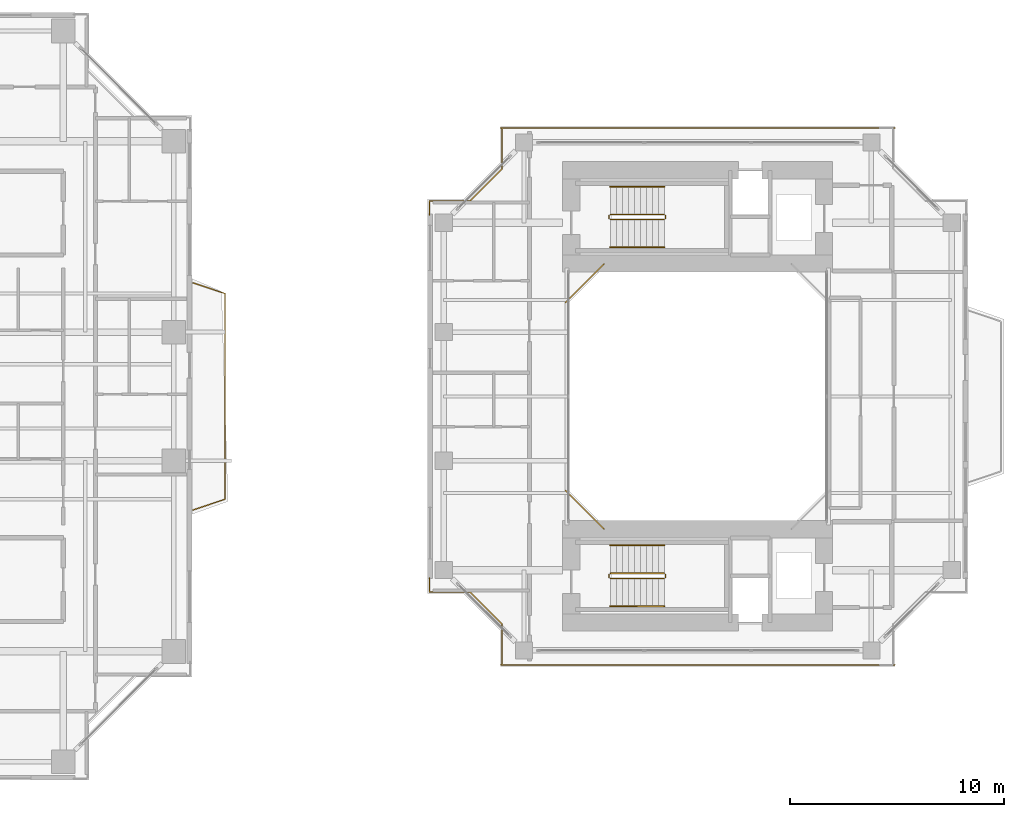
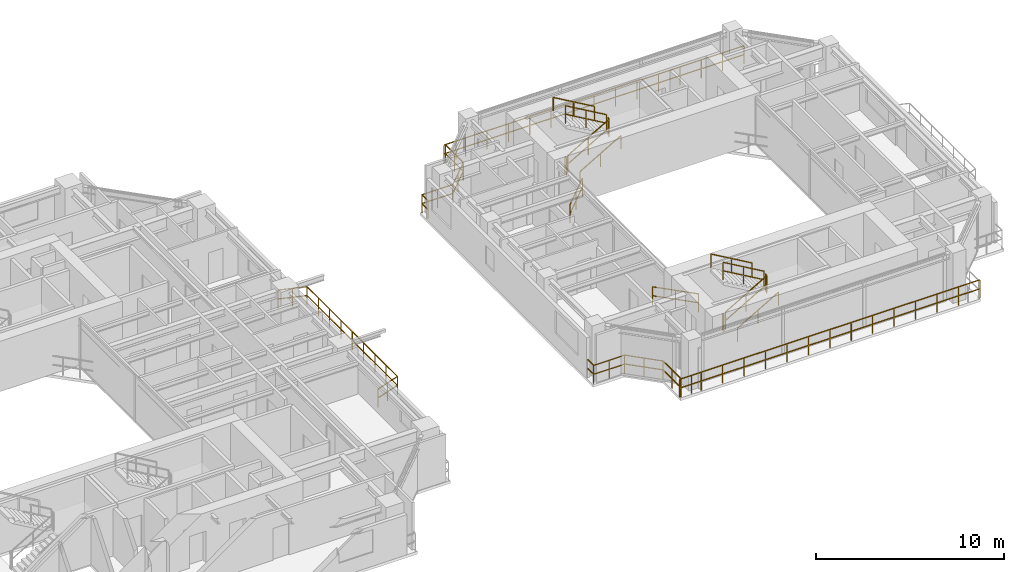
# One storey, part 22 of 23: 19 railings.
"""IFC4 building model written with IfcOpenShell, lengths in metres."""

from ifc_helpers import new_model, si_unit, direction, frame, origin, origin_2d, place, context, subcontext, project, spatial, rectangle, extrude, material, type_object, element, save


model = new_model("IFC4")

# Units and contexts
model_context = context("Model", 3, precision=1e-05, world=origin(), true_north=direction((0.0, 1.0)))
body_context = subcontext(model_context, "Body", "Model", "MODEL_VIEW")
ifc_project = project(units=[si_unit("LENGTHUNIT", "METRE"), si_unit("AREAUNIT", "SQUARE_METRE"), si_unit("VOLUMEUNIT", "CUBIC_METRE"), si_unit("PLANEANGLEUNIT", "RADIAN"), si_unit("MASSUNIT", "GRAM", prefix="KILO"), si_unit("THERMODYNAMICTEMPERATUREUNIT", "KELVIN"), si_unit("POWERUNIT", "WATT")], contexts=[model_context])

# Site, building, storey
site_placement = place(None, origin())
site = spatial("IfcSite", under=ifc_project, at=site_placement, CompositionType="ELEMENT")
building_placement = place(site_placement, origin())
building = spatial("IfcBuilding", under=site, at=building_placement, Name="Qiaomeng Ring Towers", CompositionType="ELEMENT")
storey_placement = place(building_placement, frame((0.0, 0.0, 100.25)))
storey = spatial("IfcBuildingStorey", under=building, at=storey_placement, Name="L28", CompositionType="ELEMENT", Elevation=100.25)

# Railings
ifc_material_1 = material(Name="Low-E pale-green laminated safety glass", Category="glass")
railing_type_1 = type_object("IfcRailingType", Name="ARC-RL-BAL1", PredefinedType="BALUSTRADE", material=ifc_material_1)
railing_1_placement = place(storey_placement, frame((36.949951171875, 17.699951171875, 0.0)))
element("IfcRailing", 1, at=railing_1_placement, inside=storey, type_object=railing_type_1, Name="L28 Balustrade ARC-BAL-L28-T1-E", PredefinedType="BALUSTRADE", context=body_context, shape_type="SweptSolid", body=[
    extrude(rectangle(XDim=0.048095703125, YDim=0.048095703125, at=origin_2d()), frame((0.0, 0.0, 1.17578125), z_axis=(0.948044476945, 0.318137815629, 0.0), x_axis=(-0.318137815629, 0.948044476945, 0.0)), (0.0, 0.0, 1.0), 1.571533203125),
    extrude(rectangle(XDim=0.048095703125, YDim=0.048095703125, at=origin_2d()), frame((0.0, 0.0, 0.60009765625), z_axis=(0.948044476945, 0.318137815629, 0.0), x_axis=(-0.318137815629, 0.948044476945, 0.0)), (0.0, 0.0, 1.0), 1.571533203125),
    extrude(rectangle(XDim=0.048095703125, YDim=0.048095703125, at=origin_2d()), frame((1.489990234375, 0.5, 1.17578125), z_axis=(0.0, 1.0, 0.0), x_axis=(-1.0, 0.0, 0.0)), (0.0, 0.0, 1.0), 9.60009765625),
    extrude(rectangle(XDim=0.048095703125, YDim=0.048095703125, at=origin_2d()), frame((1.489990234375, 0.5, 0.60009765625), z_axis=(0.0, 1.0, 0.0), x_axis=(-1.0, 0.0, 0.0)), (0.0, 0.0, 1.0), 9.60009765625),
    extrude(rectangle(XDim=0.048095703125, YDim=0.048095703125, at=origin_2d()), frame((1.489990234375, 10.10009765625, 1.17578125), z_axis=(-0.948044476945, 0.318137815629, 0.0), x_axis=(-0.318137815629, -0.948044476945, 0.0)), (0.0, 0.0, 1.0), 1.571533203125),
    extrude(rectangle(XDim=0.048095703125, YDim=0.048095703125, at=origin_2d()), frame((1.489990234375, 10.10009765625, 0.60009765625), z_axis=(-0.948044476945, 0.318137815629, 0.0), x_axis=(-0.318137815629, -0.948044476945, 0.0)), (0.0, 0.0, 1.0), 1.571533203125),
    extrude(rectangle(XDim=0.0419921875, YDim=0.0419921875, at=origin_2d()), origin(), (0.0, 0.0, 1.0), 1.15185546875),
    extrude(rectangle(XDim=0.0419921875, YDim=0.0419921875, at=origin_2d()), frame((0.7451171875, 0.25, 0.0)), (0.0, 0.0, 1.0), 1.15185546875),
    extrude(rectangle(XDim=0.0419921875, YDim=0.0419921875, at=origin_2d()), frame((1.489990234375, 0.5, 0.0)), (0.0, 0.0, 1.0), 1.15185546875),
    extrude(rectangle(XDim=0.0419921875, YDim=0.0419921875, at=origin_2d()), frame((1.489990234375, 1.699951171875, 0.0)), (0.0, 0.0, 1.0), 1.15185546875),
    extrude(rectangle(XDim=0.0419921875, YDim=0.0419921875, at=origin_2d()), frame((1.489990234375, 2.89990234375, 0.0)), (0.0, 0.0, 1.0), 1.15185546875),
    extrude(rectangle(XDim=0.0419921875, YDim=0.0419921875, at=origin_2d()), frame((1.489990234375, 4.10009765625, 0.0)), (0.0, 0.0, 1.0), 1.15185546875),
    extrude(rectangle(XDim=0.0419921875, YDim=0.0419921875, at=origin_2d()), frame((1.489990234375, 5.300048828125, 0.0)), (0.0, 0.0, 1.0), 1.15185546875),
    extrude(rectangle(XDim=0.0419921875, YDim=0.0419921875, at=origin_2d()), frame((1.489990234375, 6.5, 0.0)), (0.0, 0.0, 1.0), 1.15185546875),
    extrude(rectangle(XDim=0.0419921875, YDim=0.0419921875, at=origin_2d()), frame((1.489990234375, 7.7001953125, 0.0)), (0.0, 0.0, 1.0), 1.15185546875),
    extrude(rectangle(XDim=0.0419921875, YDim=0.0419921875, at=origin_2d()), frame((1.489990234375, 8.900146484375, 0.0)), (0.0, 0.0, 1.0), 1.15185546875),
    extrude(rectangle(XDim=0.0419921875, YDim=0.0419921875, at=origin_2d()), frame((1.489990234375, 10.10009765625, 0.0)), (0.0, 0.0, 1.0), 1.15185546875),
    extrude(rectangle(XDim=0.0419921875, YDim=0.0419921875, at=origin_2d()), frame((0.7451171875, 10.35009765625, 0.0)), (0.0, 0.0, 1.0), 1.15185546875),
    extrude(rectangle(XDim=0.0419921875, YDim=0.0419921875, at=origin_2d()), frame((0.0, 10.60009765625, 0.0)), (0.0, 0.0, 1.0), 1.15185546875),
])
railing_2_placement = place(storey_placement, frame((56.1201171875, 29.179931640625, 0.0)))
element("IfcRailing", 2, at=railing_2_placement, inside=storey, type_object=railing_type_1, Name="L28 Balustrade ARC-BAL-WELL2-L28-3", PredefinedType="BALUSTRADE", context=body_context, shape_type="SweptSolid", body=[
    extrude(rectangle(XDim=0.048095703125, YDim=0.048095703125, at=origin_2d()), frame((0.0, 0.0, 1.17578125), z_axis=(-0.707106781187, -0.707106781187, 0.0), x_axis=(0.707106781187, -0.707106781187, 0.0)), (0.0, 0.0, 1.0), 2.545654296875),
    extrude(rectangle(XDim=0.048095703125, YDim=0.048095703125, at=origin_2d()), frame((0.0, 0.0, 0.60009765625), z_axis=(-0.707106781187, -0.707106781187, 0.0), x_axis=(0.707106781187, -0.707106781187, 0.0)), (0.0, 0.0, 1.0), 2.545654296875),
    extrude(rectangle(XDim=0.0419921875, YDim=0.0419921875, at=origin_2d()), origin(), (0.0, 0.0, 1.0), 1.15185546875),
    extrude(rectangle(XDim=0.0419921875, YDim=0.0419921875, at=origin_2d()), frame((-0.89990234375, -0.89990234375, 0.0)), (0.0, 0.0, 1.0), 1.15185546875),
    extrude(rectangle(XDim=0.0419921875, YDim=0.0419921875, at=origin_2d()), frame((-1.800048828125, -1.800048828125, 0.0)), (0.0, 0.0, 1.0), 1.15185546875),
])
railing_3_placement = place(storey_placement, frame((54.320068359375, 18.6201171875, 0.0)))
element("IfcRailing", 3, at=railing_3_placement, inside=storey, type_object=railing_type_1, Name="L28 Balustrade ARC-BAL-WELL2-L28-4", PredefinedType="BALUSTRADE", context=body_context, shape_type="SweptSolid", body=[
    extrude(rectangle(XDim=0.048095703125, YDim=0.048095703125, at=origin_2d()), frame((0.0, 0.0, 1.17578125), z_axis=(0.707106781187, -0.707106781187, 0.0), x_axis=(0.707106781187, 0.707106781187, 0.0)), (0.0, 0.0, 1.0), 2.545654296875),
    extrude(rectangle(XDim=0.048095703125, YDim=0.048095703125, at=origin_2d()), frame((0.0, 0.0, 0.60009765625), z_axis=(0.707106781187, -0.707106781187, 0.0), x_axis=(0.707106781187, 0.707106781187, 0.0)), (0.0, 0.0, 1.0), 2.545654296875),
    extrude(rectangle(XDim=0.0419921875, YDim=0.0419921875, at=origin_2d()), origin(), (0.0, 0.0, 1.0), 1.15185546875),
    extrude(rectangle(XDim=0.0419921875, YDim=0.0419921875, at=origin_2d()), frame((0.89990234375, -0.89990234375, 0.0)), (0.0, 0.0, 1.0), 1.15185546875),
    extrude(rectangle(XDim=0.0419921875, YDim=0.0419921875, at=origin_2d()), frame((1.800048828125, -1.800048828125, 0.0)), (0.0, 0.0, 1.0), 1.15185546875),
])
railing_4_placement = place(storey_placement, frame((52.030029296875, 35.52001953125, 0.0)))
element("IfcRailing", 4, at=railing_4_placement, inside=storey, type_object=railing_type_1, Name="L28 Balustrade ARC-BAL-NOTCH2-L28-NW", PredefinedType="BALUSTRADE", context=body_context, shape_type="SweptSolid", body=[
    extrude(rectangle(XDim=0.048095703125, YDim=0.048095703125, at=origin_2d()), frame((0.0, 0.0, 1.17578125), z_axis=(-1.0, 0.0, 0.0), x_axis=(0.0, -1.0, 0.0)), (0.0, 0.0, 1.0), 0.650146484375),
    extrude(rectangle(XDim=0.048095703125, YDim=0.048095703125, at=origin_2d()), frame((0.0, 0.0, 0.60009765625), z_axis=(-1.0, 0.0, 0.0), x_axis=(0.0, -1.0, 0.0)), (0.0, 0.0, 1.0), 0.650146484375),
    extrude(rectangle(XDim=0.048095703125, YDim=0.048095703125, at=origin_2d()), frame((-0.650146484375, 0.0, 1.17578125), z_axis=(0.0, -1.0, 0.0), x_axis=(1.0, 0.0, 0.0)), (0.0, 0.0, 1.0), 1.89990234375),
    extrude(rectangle(XDim=0.048095703125, YDim=0.048095703125, at=origin_2d()), frame((-0.650146484375, 0.0, 0.60009765625), z_axis=(0.0, -1.0, 0.0), x_axis=(1.0, 0.0, 0.0)), (0.0, 0.0, 1.0), 1.89990234375),
    extrude(rectangle(XDim=0.048095703125, YDim=0.048095703125, at=origin_2d()), frame((-0.650146484375, -1.89990234375, 1.17578125), z_axis=(-0.707106781187, -0.707106781187, 0.0), x_axis=(0.707106781187, -0.707106781187, 0.0)), (0.0, 0.0, 1.0), 2.121337890625),
    extrude(rectangle(XDim=0.048095703125, YDim=0.048095703125, at=origin_2d()), frame((-0.650146484375, -1.89990234375, 0.60009765625), z_axis=(-0.707106781187, -0.707106781187, 0.0), x_axis=(0.707106781187, -0.707106781187, 0.0)), (0.0, 0.0, 1.0), 2.121337890625),
    extrude(rectangle(XDim=0.048095703125, YDim=0.048095703125, at=origin_2d()), frame((-2.150146484375, -3.39990234375, 1.17578125), z_axis=(-1.0, 0.0, 0.0), x_axis=(0.0, -1.0, 0.0)), (0.0, 0.0, 1.0), 1.89990234375),
    extrude(rectangle(XDim=0.048095703125, YDim=0.048095703125, at=origin_2d()), frame((-2.150146484375, -3.39990234375, 0.60009765625), z_axis=(-1.0, 0.0, 0.0), x_axis=(0.0, -1.0, 0.0)), (0.0, 0.0, 1.0), 1.89990234375),
    extrude(rectangle(XDim=0.048095703125, YDim=0.048095703125, at=origin_2d()), frame((-4.050048828125, -3.39990234375, 1.17578125), z_axis=(0.0, -1.0, 0.0), x_axis=(1.0, 0.0, 0.0)), (0.0, 0.0, 1.0), 0.650146484375),
    extrude(rectangle(XDim=0.048095703125, YDim=0.048095703125, at=origin_2d()), frame((-4.050048828125, -3.39990234375, 0.60009765625), z_axis=(0.0, -1.0, 0.0), x_axis=(1.0, 0.0, 0.0)), (0.0, 0.0, 1.0), 0.650146484375),
    extrude(rectangle(XDim=0.0419921875, YDim=0.0419921875, at=origin_2d()), origin(), (0.0, 0.0, 1.0), 1.15185546875),
    extrude(rectangle(XDim=0.0419921875, YDim=0.0419921875, at=origin_2d()), frame((-0.650146484375, 0.0, 0.0)), (0.0, 0.0, 1.0), 1.15185546875),
    extrude(rectangle(XDim=0.0419921875, YDim=0.0419921875, at=origin_2d()), frame((-0.650146484375, -0.949951171875, 0.0)), (0.0, 0.0, 1.0), 1.15185546875),
    extrude(rectangle(XDim=0.0419921875, YDim=0.0419921875, at=origin_2d()), frame((-0.650146484375, -1.89990234375, 0.0)), (0.0, 0.0, 1.0), 1.15185546875),
    extrude(rectangle(XDim=0.0419921875, YDim=0.0419921875, at=origin_2d()), frame((-1.400146484375, -2.64990234375, 0.0)), (0.0, 0.0, 1.0), 1.15185546875),
    extrude(rectangle(XDim=0.0419921875, YDim=0.0419921875, at=origin_2d()), frame((-2.150146484375, -3.39990234375, 0.0)), (0.0, 0.0, 1.0), 1.15185546875),
    extrude(rectangle(XDim=0.0419921875, YDim=0.0419921875, at=origin_2d()), frame((-3.10009765625, -3.39990234375, 0.0)), (0.0, 0.0, 1.0), 1.15185546875),
    extrude(rectangle(XDim=0.0419921875, YDim=0.0419921875, at=origin_2d()), frame((-4.050048828125, -3.39990234375, 0.0)), (0.0, 0.0, 1.0), 1.15185546875),
    extrude(rectangle(XDim=0.0419921875, YDim=0.0419921875, at=origin_2d()), frame((-4.050048828125, -4.050048828125, 0.0)), (0.0, 0.0, 1.0), 1.15185546875),
])
railing_5_placement = place(storey_placement, frame((47.97998046875, 14.530029296875, 0.0)))
element("IfcRailing", 5, at=railing_5_placement, inside=storey, type_object=railing_type_1, Name="L28 Balustrade ARC-BAL-NOTCH2-L28-SW", PredefinedType="BALUSTRADE", context=body_context, shape_type="SweptSolid", body=[
    extrude(rectangle(XDim=0.048095703125, YDim=0.048095703125, at=origin_2d()), frame((0.0, 0.0, 1.17578125), z_axis=(0.0, -1.0, 0.0), x_axis=(1.0, 0.0, 0.0)), (0.0, 0.0, 1.0), 0.650146484375),
    extrude(rectangle(XDim=0.048095703125, YDim=0.048095703125, at=origin_2d()), frame((0.0, 0.0, 0.60009765625), z_axis=(0.0, -1.0, 0.0), x_axis=(1.0, 0.0, 0.0)), (0.0, 0.0, 1.0), 0.650146484375),
    extrude(rectangle(XDim=0.048095703125, YDim=0.048095703125, at=origin_2d()), frame((0.0, -0.650146484375, 1.17578125), z_axis=(1.0, 0.0, 0.0), x_axis=(0.0, 1.0, 0.0)), (0.0, 0.0, 1.0), 1.89990234375),
    extrude(rectangle(XDim=0.048095703125, YDim=0.048095703125, at=origin_2d()), frame((0.0, -0.650146484375, 0.60009765625), z_axis=(1.0, 0.0, 0.0), x_axis=(0.0, 1.0, 0.0)), (0.0, 0.0, 1.0), 1.89990234375),
    extrude(rectangle(XDim=0.048095703125, YDim=0.048095703125, at=origin_2d()), frame((1.89990234375, -0.650146484375, 1.17578125), z_axis=(0.707106781187, -0.707106781187, 0.0), x_axis=(0.707106781187, 0.707106781187, 0.0)), (0.0, 0.0, 1.0), 2.121337890625),
    extrude(rectangle(XDim=0.048095703125, YDim=0.048095703125, at=origin_2d()), frame((1.89990234375, -0.650146484375, 0.60009765625), z_axis=(0.707106781187, -0.707106781187, 0.0), x_axis=(0.707106781187, 0.707106781187, 0.0)), (0.0, 0.0, 1.0), 2.121337890625),
    extrude(rectangle(XDim=0.048095703125, YDim=0.048095703125, at=origin_2d()), frame((3.39990234375, -2.150146484375, 1.17578125), z_axis=(0.0, -1.0, 0.0), x_axis=(1.0, 0.0, 0.0)), (0.0, 0.0, 1.0), 1.89990234375),
    extrude(rectangle(XDim=0.048095703125, YDim=0.048095703125, at=origin_2d()), frame((3.39990234375, -2.150146484375, 0.60009765625), z_axis=(0.0, -1.0, 0.0), x_axis=(1.0, 0.0, 0.0)), (0.0, 0.0, 1.0), 1.89990234375),
    extrude(rectangle(XDim=0.048095703125, YDim=0.048095703125, at=origin_2d()), frame((3.39990234375, -4.050048828125, 1.17578125), z_axis=(1.0, 0.0, 0.0), x_axis=(0.0, 1.0, 0.0)), (0.0, 0.0, 1.0), 0.650146484375),
    extrude(rectangle(XDim=0.048095703125, YDim=0.048095703125, at=origin_2d()), frame((3.39990234375, -4.050048828125, 0.60009765625), z_axis=(1.0, 0.0, 0.0), x_axis=(0.0, 1.0, 0.0)), (0.0, 0.0, 1.0), 0.650146484375),
    extrude(rectangle(XDim=0.0419921875, YDim=0.0419921875, at=origin_2d()), origin(), (0.0, 0.0, 1.0), 1.15185546875),
    extrude(rectangle(XDim=0.0419921875, YDim=0.0419921875, at=origin_2d()), frame((0.0, -0.650146484375, 0.0)), (0.0, 0.0, 1.0), 1.15185546875),
    extrude(rectangle(XDim=0.0419921875, YDim=0.0419921875, at=origin_2d()), frame((0.949951171875, -0.650146484375, 0.0)), (0.0, 0.0, 1.0), 1.15185546875),
    extrude(rectangle(XDim=0.0419921875, YDim=0.0419921875, at=origin_2d()), frame((1.89990234375, -0.650146484375, 0.0)), (0.0, 0.0, 1.0), 1.15185546875),
    extrude(rectangle(XDim=0.0419921875, YDim=0.0419921875, at=origin_2d()), frame((2.64990234375, -1.400146484375, 0.0)), (0.0, 0.0, 1.0), 1.15185546875),
    extrude(rectangle(XDim=0.0419921875, YDim=0.0419921875, at=origin_2d()), frame((3.39990234375, -2.150146484375, 0.0)), (0.0, 0.0, 1.0), 1.15185546875),
    extrude(rectangle(XDim=0.0419921875, YDim=0.0419921875, at=origin_2d()), frame((3.39990234375, -3.10009765625, 0.0)), (0.0, 0.0, 1.0), 1.15185546875),
    extrude(rectangle(XDim=0.0419921875, YDim=0.0419921875, at=origin_2d()), frame((3.39990234375, -4.050048828125, 0.0)), (0.0, 0.0, 1.0), 1.15185546875),
    extrude(rectangle(XDim=0.0419921875, YDim=0.0419921875, at=origin_2d()), frame((4.050048828125, -4.050048828125, 0.0)), (0.0, 0.0, 1.0), 1.15185546875),
])
railing_6_placement = place(storey_placement, frame((51.300048828125, 35.52001953125, 0.0)))
element("IfcRailing", 6, at=railing_6_placement, inside=storey, type_object=railing_type_1, Name="L28 Balustrade ARC-BAL-T2N-L28", PredefinedType="BALUSTRADE", context=body_context, shape_type="SweptSolid", body=[
    extrude(rectangle(XDim=0.048095703125, YDim=0.048095703125, at=origin_2d()), frame((0.0, 0.0, 1.17578125), z_axis=(1.0, 0.0, 0.0), x_axis=(0.0, 1.0, 0.0)), (0.0, 0.0, 1.0), 18.39990234375),
    extrude(rectangle(XDim=0.048095703125, YDim=0.048095703125, at=origin_2d()), frame((0.0, 0.0, 0.60009765625), z_axis=(1.0, 0.0, 0.0), x_axis=(0.0, 1.0, 0.0)), (0.0, 0.0, 1.0), 18.39990234375),
    extrude(rectangle(XDim=0.0419921875, YDim=0.0419921875, at=origin_2d()), origin(), (0.0, 0.0, 1.0), 1.15185546875),
    extrude(rectangle(XDim=0.0419921875, YDim=0.0419921875, at=origin_2d()), frame((1.314208984375, 0.0, 0.0)), (0.0, 0.0, 1.0), 1.15185546875),
    extrude(rectangle(XDim=0.0419921875, YDim=0.0419921875, at=origin_2d()), frame((2.628662109375, 0.0, 0.0)), (0.0, 0.0, 1.0), 1.15185546875),
    extrude(rectangle(XDim=0.0419921875, YDim=0.0419921875, at=origin_2d()), frame((3.94287109375, 0.0, 0.0)), (0.0, 0.0, 1.0), 1.15185546875),
    extrude(rectangle(XDim=0.0419921875, YDim=0.0419921875, at=origin_2d()), frame((5.257080078125, 0.0, 0.0)), (0.0, 0.0, 1.0), 1.15185546875),
    extrude(rectangle(XDim=0.0419921875, YDim=0.0419921875, at=origin_2d()), frame((6.5712890625, 0.0, 0.0)), (0.0, 0.0, 1.0), 1.15185546875),
    extrude(rectangle(XDim=0.0419921875, YDim=0.0419921875, at=origin_2d()), frame((7.8857421875, 0.0, 0.0)), (0.0, 0.0, 1.0), 1.15185546875),
    extrude(rectangle(XDim=0.0419921875, YDim=0.0419921875, at=origin_2d()), frame((9.199951171875, 0.0, 0.0)), (0.0, 0.0, 1.0), 1.15185546875),
    extrude(rectangle(XDim=0.0419921875, YDim=0.0419921875, at=origin_2d()), frame((10.51416015625, 0.0, 0.0)), (0.0, 0.0, 1.0), 1.15185546875),
    extrude(rectangle(XDim=0.0419921875, YDim=0.0419921875, at=origin_2d()), frame((11.82861328125, 0.0, 0.0)), (0.0, 0.0, 1.0), 1.15185546875),
    extrude(rectangle(XDim=0.0419921875, YDim=0.0419921875, at=origin_2d()), frame((13.142822265625, 0.0, 0.0)), (0.0, 0.0, 1.0), 1.15185546875),
    extrude(rectangle(XDim=0.0419921875, YDim=0.0419921875, at=origin_2d()), frame((14.45703125, 0.0, 0.0)), (0.0, 0.0, 1.0), 1.15185546875),
    extrude(rectangle(XDim=0.0419921875, YDim=0.0419921875, at=origin_2d()), frame((15.771240234375, 0.0, 0.0)), (0.0, 0.0, 1.0), 1.15185546875),
    extrude(rectangle(XDim=0.0419921875, YDim=0.0419921875, at=origin_2d()), frame((17.085693359375, 0.0, 0.0)), (0.0, 0.0, 1.0), 1.15185546875),
    extrude(rectangle(XDim=0.0419921875, YDim=0.0419921875, at=origin_2d()), frame((18.39990234375, 0.0, 0.0)), (0.0, 0.0, 1.0), 1.15185546875),
])
railing_7_placement = place(storey_placement, frame((51.300048828125, 10.47998046875, 0.0)))
element("IfcRailing", 7, at=railing_7_placement, inside=storey, type_object=railing_type_1, Name="L28 Balustrade ARC-BAL-T2S-L28", PredefinedType="BALUSTRADE", context=body_context, shape_type="SweptSolid", body=[
    extrude(rectangle(XDim=0.048095703125, YDim=0.048095703125, at=origin_2d()), frame((0.0, 0.0, 1.17578125), z_axis=(1.0, 0.0, 0.0), x_axis=(0.0, 1.0, 0.0)), (0.0, 0.0, 1.0), 18.39990234375),
    extrude(rectangle(XDim=0.048095703125, YDim=0.048095703125, at=origin_2d()), frame((0.0, 0.0, 0.60009765625), z_axis=(1.0, 0.0, 0.0), x_axis=(0.0, 1.0, 0.0)), (0.0, 0.0, 1.0), 18.39990234375),
    extrude(rectangle(XDim=0.0419921875, YDim=0.0419921875, at=origin_2d()), origin(), (0.0, 0.0, 1.0), 1.15185546875),
    extrude(rectangle(XDim=0.0419921875, YDim=0.0419921875, at=origin_2d()), frame((1.314208984375, 0.0, 0.0)), (0.0, 0.0, 1.0), 1.15185546875),
    extrude(rectangle(XDim=0.0419921875, YDim=0.0419921875, at=origin_2d()), frame((2.628662109375, 0.0, 0.0)), (0.0, 0.0, 1.0), 1.15185546875),
    extrude(rectangle(XDim=0.0419921875, YDim=0.0419921875, at=origin_2d()), frame((3.94287109375, 0.0, 0.0)), (0.0, 0.0, 1.0), 1.15185546875),
    extrude(rectangle(XDim=0.0419921875, YDim=0.0419921875, at=origin_2d()), frame((5.257080078125, 0.0, 0.0)), (0.0, 0.0, 1.0), 1.15185546875),
    extrude(rectangle(XDim=0.0419921875, YDim=0.0419921875, at=origin_2d()), frame((6.5712890625, 0.0, 0.0)), (0.0, 0.0, 1.0), 1.15185546875),
    extrude(rectangle(XDim=0.0419921875, YDim=0.0419921875, at=origin_2d()), frame((7.8857421875, 0.0, 0.0)), (0.0, 0.0, 1.0), 1.15185546875),
    extrude(rectangle(XDim=0.0419921875, YDim=0.0419921875, at=origin_2d()), frame((9.199951171875, 0.0, 0.0)), (0.0, 0.0, 1.0), 1.15185546875),
    extrude(rectangle(XDim=0.0419921875, YDim=0.0419921875, at=origin_2d()), frame((10.51416015625, 0.0, 0.0)), (0.0, 0.0, 1.0), 1.15185546875),
    extrude(rectangle(XDim=0.0419921875, YDim=0.0419921875, at=origin_2d()), frame((11.82861328125, 0.0, 0.0)), (0.0, 0.0, 1.0), 1.15185546875),
    extrude(rectangle(XDim=0.0419921875, YDim=0.0419921875, at=origin_2d()), frame((13.142822265625, 0.0, 0.0)), (0.0, 0.0, 1.0), 1.15185546875),
    extrude(rectangle(XDim=0.0419921875, YDim=0.0419921875, at=origin_2d()), frame((14.45703125, 0.0, 0.0)), (0.0, 0.0, 1.0), 1.15185546875),
    extrude(rectangle(XDim=0.0419921875, YDim=0.0419921875, at=origin_2d()), frame((15.771240234375, 0.0, 0.0)), (0.0, 0.0, 1.0), 1.15185546875),
    extrude(rectangle(XDim=0.0419921875, YDim=0.0419921875, at=origin_2d()), frame((17.085693359375, 0.0, 0.0)), (0.0, 0.0, 1.0), 1.15185546875),
    extrude(rectangle(XDim=0.0419921875, YDim=0.0419921875, at=origin_2d()), frame((18.39990234375, 0.0, 0.0)), (0.0, 0.0, 1.0), 1.15185546875),
])
ifc_material_2 = material(Name="Galvanised steel", Category="steel")
railing_type_2 = type_object("IfcRailingType", Name="ARC-RL-GUARD", PredefinedType="GUARDRAIL", material=ifc_material_2)
railing_8_placement = place(storey_placement, frame((56.419921875, 31.25, 0.16259765625)))
element("IfcRailing", 8, at=railing_8_placement, inside=storey, type_object=railing_type_2, Name="L28 ST5 stair guard 1", PredefinedType="GUARDRAIL", context=body_context, shape_type="SweptSolid", body=[
    extrude(rectangle(XDim=0.048095703125, YDim=0.048095703125, at=origin_2d()), frame((0.0, 0.0, 1.1259765625), z_axis=(0.864913338283, 0.0, 0.50192122615), x_axis=(0.0, 1.0, 0.0)), (0.0, 0.0, 1.0), 2.91357421875),
    extrude(rectangle(XDim=0.048095703125, YDim=0.048095703125, at=origin_2d()), frame((0.0, 0.0, 0.574951171875), z_axis=(0.864913338283, 0.0, 0.50192122615), x_axis=(0.0, 1.0, 0.0)), (0.0, 0.0, 1.0), 2.91357421875),
    extrude(rectangle(XDim=0.0419921875, YDim=0.0419921875, at=origin_2d()), origin(), (0.0, 0.0, 1.0), 1.101806640625),
    extrude(rectangle(XDim=0.0419921875, YDim=0.0419921875, at=origin_2d()), frame((1.260009765625, 0.0, 0.731201171875)), (0.0, 0.0, 1.0), 1.101806640625),
    extrude(rectangle(XDim=0.0419921875, YDim=0.0419921875, at=origin_2d()), frame((2.52001953125, 0.0, 1.46240234375)), (0.0, 0.0, 1.0), 1.101806640625),
])
railing_9_placement = place(storey_placement, frame((58.989990234375, 31.300048828125, 1.625)))
element("IfcRailing", 9, at=railing_9_placement, inside=storey, type_object=railing_type_2, Name="L28 ST5 stair guard 2", PredefinedType="GUARDRAIL", context=body_context, shape_type="SweptSolid", body=[
    extrude(rectangle(XDim=0.048095703125, YDim=0.048095703125, at=origin_2d()), frame((0.0, 0.0, 1.1259765625), z_axis=(0.0, 1.0, 0.0), x_axis=(-1.0, 0.0, 0.0)), (0.0, 0.0, 1.0), 0.139892578125),
    extrude(rectangle(XDim=0.048095703125, YDim=0.048095703125, at=origin_2d()), frame((0.0, 0.0, 0.574951171875), z_axis=(0.0, 1.0, 0.0), x_axis=(-1.0, 0.0, 0.0)), (0.0, 0.0, 1.0), 0.139892578125),
    extrude(rectangle(XDim=0.0419921875, YDim=0.0419921875, at=origin_2d()), origin(), (0.0, 0.0, 1.0), 1.101806640625),
    extrude(rectangle(XDim=0.0419921875, YDim=0.0419921875, at=origin_2d()), frame((0.0, 0.139892578125, 0.0)), (0.0, 0.0, 1.0), 1.101806640625),
])
railing_10_placement = place(storey_placement, frame((58.93994140625, 31.489990234375, 1.78759765625)))
element("IfcRailing", 10, at=railing_10_placement, inside=storey, type_object=railing_type_2, Name="L28 ST5 stair guard 3", PredefinedType="GUARDRAIL", context=body_context, shape_type="SweptSolid", body=[
    extrude(rectangle(XDim=0.048095703125, YDim=0.048095703125, at=origin_2d()), frame((0.0, 0.0, 1.1259765625), z_axis=(-0.864913338283, 0.0, 0.50192122615), x_axis=(0.0, -1.0, 0.0)), (0.0, 0.0, 1.0), 2.91357421875),
    extrude(rectangle(XDim=0.048095703125, YDim=0.048095703125, at=origin_2d()), frame((0.0, 0.0, 0.574951171875), z_axis=(-0.864913338283, 0.0, 0.50192122615), x_axis=(0.0, -1.0, 0.0)), (0.0, 0.0, 1.0), 2.91357421875),
    extrude(rectangle(XDim=0.0419921875, YDim=0.0419921875, at=origin_2d()), origin(), (0.0, 0.0, 1.0), 1.101806640625),
    extrude(rectangle(XDim=0.0419921875, YDim=0.0419921875, at=origin_2d()), frame((-1.260009765625, 0.0, 0.731201171875)), (0.0, 0.0, 1.0), 1.101806640625),
    extrude(rectangle(XDim=0.0419921875, YDim=0.0419921875, at=origin_2d()), frame((-2.52001953125, 0.0, 1.46240234375)), (0.0, 0.0, 1.0), 1.101806640625),
])
railing_11_placement = place(storey_placement, frame((56.3701171875, 31.300048828125, 0.0)))
element("IfcRailing", 11, at=railing_11_placement, inside=storey, type_object=railing_type_2, Name="L28 ST5 stair guard 4", PredefinedType="GUARDRAIL", context=body_context, shape_type="SweptSolid", body=[
    extrude(rectangle(XDim=0.048095703125, YDim=0.048095703125, at=origin_2d()), frame((0.0, 0.0, 1.1259765625), z_axis=(0.0, 1.0, 0.0), x_axis=(-1.0, 0.0, 0.0)), (0.0, 0.0, 1.0), 0.139892578125),
    extrude(rectangle(XDim=0.048095703125, YDim=0.048095703125, at=origin_2d()), frame((0.0, 0.0, 0.574951171875), z_axis=(0.0, 1.0, 0.0), x_axis=(-1.0, 0.0, 0.0)), (0.0, 0.0, 1.0), 0.139892578125),
    extrude(rectangle(XDim=0.0419921875, YDim=0.0419921875, at=origin_2d()), origin(), (0.0, 0.0, 1.0), 1.101806640625),
    extrude(rectangle(XDim=0.0419921875, YDim=0.0419921875, at=origin_2d()), frame((0.0, 0.139892578125, 0.0)), (0.0, 0.0, 1.0), 1.101806640625),
])
railing_12_placement = place(storey_placement, frame((56.419921875, 14.510009765625, 0.16259765625)))
element("IfcRailing", 12, at=railing_12_placement, inside=storey, type_object=railing_type_2, Name="L28 ST6 stair guard 1", PredefinedType="GUARDRAIL", context=body_context, shape_type="SweptSolid", body=[
    extrude(rectangle(XDim=0.048095703125, YDim=0.048095703125, at=origin_2d()), frame((0.0, 0.0, 1.1259765625), z_axis=(0.864913338283, 0.0, 0.50192122615), x_axis=(0.0, 1.0, 0.0)), (0.0, 0.0, 1.0), 2.91357421875),
    extrude(rectangle(XDim=0.048095703125, YDim=0.048095703125, at=origin_2d()), frame((0.0, 0.0, 0.574951171875), z_axis=(0.864913338283, 0.0, 0.50192122615), x_axis=(0.0, 1.0, 0.0)), (0.0, 0.0, 1.0), 2.91357421875),
    extrude(rectangle(XDim=0.0419921875, YDim=0.0419921875, at=origin_2d()), origin(), (0.0, 0.0, 1.0), 1.101806640625),
    extrude(rectangle(XDim=0.0419921875, YDim=0.0419921875, at=origin_2d()), frame((1.260009765625, 0.0, 0.731201171875)), (0.0, 0.0, 1.0), 1.101806640625),
    extrude(rectangle(XDim=0.0419921875, YDim=0.0419921875, at=origin_2d()), frame((2.52001953125, 0.0, 1.46240234375)), (0.0, 0.0, 1.0), 1.101806640625),
])
railing_13_placement = place(storey_placement, frame((58.989990234375, 14.56005859375, 1.625)))
element("IfcRailing", 13, at=railing_13_placement, inside=storey, type_object=railing_type_2, Name="L28 ST6 stair guard 2", PredefinedType="GUARDRAIL", context=body_context, shape_type="SweptSolid", body=[
    extrude(rectangle(XDim=0.048095703125, YDim=0.048095703125, at=origin_2d()), frame((0.0, 0.0, 1.1259765625), z_axis=(0.0, 1.0, 0.0), x_axis=(-1.0, 0.0, 0.0)), (0.0, 0.0, 1.0), 0.139892578125),
    extrude(rectangle(XDim=0.048095703125, YDim=0.048095703125, at=origin_2d()), frame((0.0, 0.0, 0.574951171875), z_axis=(0.0, 1.0, 0.0), x_axis=(-1.0, 0.0, 0.0)), (0.0, 0.0, 1.0), 0.139892578125),
    extrude(rectangle(XDim=0.0419921875, YDim=0.0419921875, at=origin_2d()), origin(), (0.0, 0.0, 1.0), 1.101806640625),
    extrude(rectangle(XDim=0.0419921875, YDim=0.0419921875, at=origin_2d()), frame((0.0, 0.139892578125, 0.0)), (0.0, 0.0, 1.0), 1.101806640625),
])
railing_14_placement = place(storey_placement, frame((58.93994140625, 14.75, 1.78759765625)))
element("IfcRailing", 14, at=railing_14_placement, inside=storey, type_object=railing_type_2, Name="L28 ST6 stair guard 3", PredefinedType="GUARDRAIL", context=body_context, shape_type="SweptSolid", body=[
    extrude(rectangle(XDim=0.048095703125, YDim=0.048095703125, at=origin_2d()), frame((0.0, 0.0, 1.1259765625), z_axis=(-0.864913338283, 0.0, 0.50192122615), x_axis=(0.0, -1.0, 0.0)), (0.0, 0.0, 1.0), 2.91357421875),
    extrude(rectangle(XDim=0.048095703125, YDim=0.048095703125, at=origin_2d()), frame((0.0, 0.0, 0.574951171875), z_axis=(-0.864913338283, 0.0, 0.50192122615), x_axis=(0.0, -1.0, 0.0)), (0.0, 0.0, 1.0), 2.91357421875),
    extrude(rectangle(XDim=0.0419921875, YDim=0.0419921875, at=origin_2d()), origin(), (0.0, 0.0, 1.0), 1.101806640625),
    extrude(rectangle(XDim=0.0419921875, YDim=0.0419921875, at=origin_2d()), frame((-1.260009765625, 0.0, 0.731201171875)), (0.0, 0.0, 1.0), 1.101806640625),
    extrude(rectangle(XDim=0.0419921875, YDim=0.0419921875, at=origin_2d()), frame((-2.52001953125, 0.0, 1.46240234375)), (0.0, 0.0, 1.0), 1.101806640625),
])
railing_15_placement = place(storey_placement, frame((56.3701171875, 14.56005859375, 0.0)))
element("IfcRailing", 15, at=railing_15_placement, inside=storey, type_object=railing_type_2, Name="L28 ST6 stair guard 4", PredefinedType="GUARDRAIL", context=body_context, shape_type="SweptSolid", body=[
    extrude(rectangle(XDim=0.048095703125, YDim=0.048095703125, at=origin_2d()), frame((0.0, 0.0, 1.1259765625), z_axis=(0.0, 1.0, 0.0), x_axis=(-1.0, 0.0, 0.0)), (0.0, 0.0, 1.0), 0.139892578125),
    extrude(rectangle(XDim=0.048095703125, YDim=0.048095703125, at=origin_2d()), frame((0.0, 0.0, 0.574951171875), z_axis=(0.0, 1.0, 0.0), x_axis=(-1.0, 0.0, 0.0)), (0.0, 0.0, 1.0), 0.139892578125),
    extrude(rectangle(XDim=0.0419921875, YDim=0.0419921875, at=origin_2d()), origin(), (0.0, 0.0, 1.0), 1.101806640625),
    extrude(rectangle(XDim=0.0419921875, YDim=0.0419921875, at=origin_2d()), frame((0.0, 0.139892578125, 0.0)), (0.0, 0.0, 1.0), 1.101806640625),
])
ifc_material_3 = material(Name="Stainless steel 316", Category="steel")
railing_type_3 = type_object("IfcRailingType", Name="ARC-RL-HAND", PredefinedType="HANDRAIL", material=ifc_material_3)
railing_16_placement = place(storey_placement, frame((56.419921875, 29.949951171875, 0.16259765625)))
element("IfcRailing", 16, at=railing_16_placement, inside=storey, type_object=railing_type_3, Name="L28 ST5 stair handrail 1", PredefinedType="HANDRAIL", context=body_context, shape_type="SweptSolid", body=[
    extrude(rectangle(XDim=0.048095703125, YDim=0.048095703125, at=origin_2d()), frame((0.0, 0.0, 0.8759765625), z_axis=(0.864913338283, 0.0, 0.50192122615), x_axis=(0.0, 1.0, 0.0)), (0.0, 0.0, 1.0), 2.91357421875),
    extrude(rectangle(XDim=0.0419921875, YDim=0.0419921875, at=origin_2d()), origin(), (0.0, 0.0, 1.0), 0.851806640625),
    extrude(rectangle(XDim=0.0419921875, YDim=0.0419921875, at=origin_2d()), frame((1.260009765625, 0.0, 0.731201171875)), (0.0, 0.0, 1.0), 0.851806640625),
    extrude(rectangle(XDim=0.0419921875, YDim=0.0419921875, at=origin_2d()), frame((2.52001953125, 0.0, 1.46240234375)), (0.0, 0.0, 1.0), 0.851806640625),
])
railing_17_placement = place(storey_placement, frame((58.93994140625, 32.7900390625, 1.78759765625)))
element("IfcRailing", 17, at=railing_17_placement, inside=storey, type_object=railing_type_3, Name="L28 ST5 stair handrail 2", PredefinedType="HANDRAIL", context=body_context, shape_type="SweptSolid", body=[
    extrude(rectangle(XDim=0.048095703125, YDim=0.048095703125, at=origin_2d()), frame((0.0, 0.0, 0.8759765625), z_axis=(-0.864913338283, 0.0, 0.50192122615), x_axis=(0.0, -1.0, 0.0)), (0.0, 0.0, 1.0), 2.91357421875),
    extrude(rectangle(XDim=0.0419921875, YDim=0.0419921875, at=origin_2d()), origin(), (0.0, 0.0, 1.0), 0.851806640625),
    extrude(rectangle(XDim=0.0419921875, YDim=0.0419921875, at=origin_2d()), frame((-1.260009765625, 0.0, 0.731201171875)), (0.0, 0.0, 1.0), 0.851806640625),
    extrude(rectangle(XDim=0.0419921875, YDim=0.0419921875, at=origin_2d()), frame((-2.52001953125, 0.0, 1.46240234375)), (0.0, 0.0, 1.0), 0.851806640625),
])
railing_18_placement = place(storey_placement, frame((56.419921875, 13.2099609375, 0.16259765625)))
element("IfcRailing", 18, at=railing_18_placement, inside=storey, type_object=railing_type_3, Name="L28 ST6 stair handrail 1", PredefinedType="HANDRAIL", context=body_context, shape_type="SweptSolid", body=[
    extrude(rectangle(XDim=0.048095703125, YDim=0.048095703125, at=origin_2d()), frame((0.0, 0.0, 0.8759765625), z_axis=(0.864913338283, 0.0, 0.50192122615), x_axis=(0.0, 1.0, 0.0)), (0.0, 0.0, 1.0), 2.91357421875),
    extrude(rectangle(XDim=0.0419921875, YDim=0.0419921875, at=origin_2d()), origin(), (0.0, 0.0, 1.0), 0.851806640625),
    extrude(rectangle(XDim=0.0419921875, YDim=0.0419921875, at=origin_2d()), frame((1.260009765625, 0.0, 0.731201171875)), (0.0, 0.0, 1.0), 0.851806640625),
    extrude(rectangle(XDim=0.0419921875, YDim=0.0419921875, at=origin_2d()), frame((2.52001953125, 0.0, 1.46240234375)), (0.0, 0.0, 1.0), 0.851806640625),
])
railing_19_placement = place(storey_placement, frame((58.93994140625, 16.050048828125, 1.78759765625)))
element("IfcRailing", 19, at=railing_19_placement, inside=storey, type_object=railing_type_3, Name="L28 ST6 stair handrail 2", PredefinedType="HANDRAIL", context=body_context, shape_type="SweptSolid", body=[
    extrude(rectangle(XDim=0.048095703125, YDim=0.048095703125, at=origin_2d()), frame((0.0, 0.0, 0.8759765625), z_axis=(-0.864913338283, 0.0, 0.50192122615), x_axis=(0.0, -1.0, 0.0)), (0.0, 0.0, 1.0), 2.91357421875),
    extrude(rectangle(XDim=0.0419921875, YDim=0.0419921875, at=origin_2d()), origin(), (0.0, 0.0, 1.0), 0.851806640625),
    extrude(rectangle(XDim=0.0419921875, YDim=0.0419921875, at=origin_2d()), frame((-1.260009765625, 0.0, 0.731201171875)), (0.0, 0.0, 1.0), 0.851806640625),
    extrude(rectangle(XDim=0.0419921875, YDim=0.0419921875, at=origin_2d()), frame((-2.52001953125, 0.0, 1.46240234375)), (0.0, 0.0, 1.0), 0.851806640625),
])

save(model, "model.ifc")
